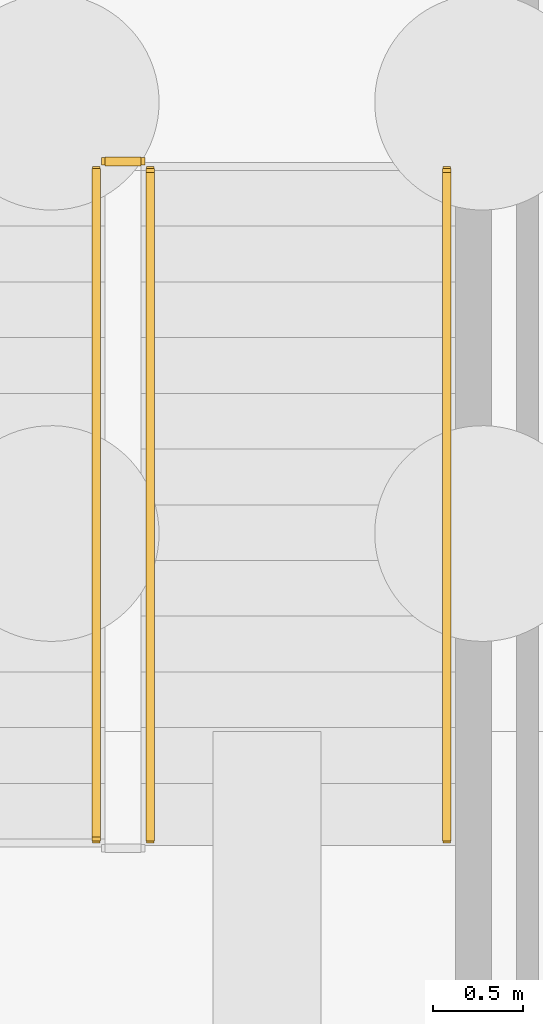
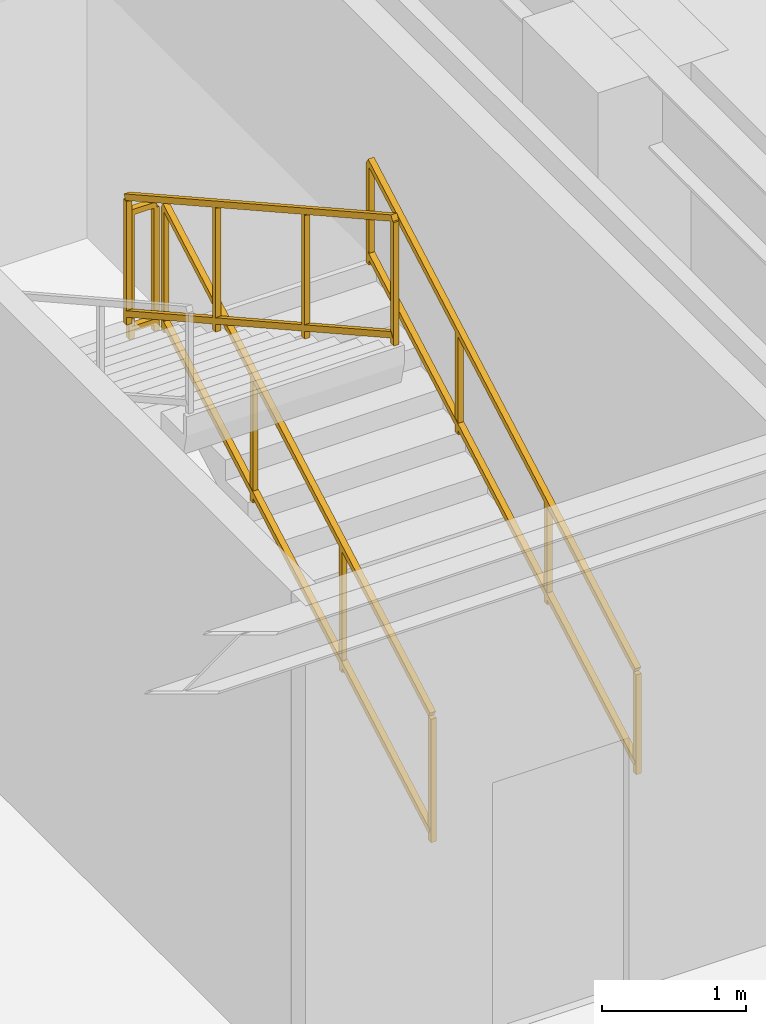
# One storey, part 18 of 19: 4 railings.
"""IFC4 building model written with IfcOpenShell, lengths in metres."""

from ifc_helpers import new_model, si_unit, direction, frame, origin, origin_2d, place, context, subcontext, project, spatial, rectangle, extrude, material, type_object, element, save


model = new_model("IFC4")

# Units and contexts
model_context = context("Model", 3, precision=1e-05, world=origin(), true_north=direction((0.0, 1.0)))
body_context = subcontext(model_context, "Body", "Model", "MODEL_VIEW")
ifc_project = project(units=[si_unit("LENGTHUNIT", "METRE"), si_unit("AREAUNIT", "SQUARE_METRE"), si_unit("VOLUMEUNIT", "CUBIC_METRE"), si_unit("PLANEANGLEUNIT", "RADIAN"), si_unit("MASSUNIT", "GRAM", prefix="KILO")], contexts=[model_context])

# Site, building, storey
site_placement = place(None, origin())
site = spatial("IfcSite", under=ifc_project, at=site_placement, CompositionType="ELEMENT")
building_placement = place(site_placement, origin())
building = spatial("IfcBuilding", under=site, at=building_placement, Name="Kolvaren Gate Tower and Convention Centre", CompositionType="ELEMENT")
storey_placement = place(building_placement, frame((0.0, 0.0, -13.5)))
storey = spatial("IfcBuildingStorey", under=building, at=storey_placement, Name="B3", CompositionType="ELEMENT", Elevation=-13.5)

# Railings
ifc_material = material(Name="Brushed Stainless Steel Grade 316L", Category="steel")
railing_type_1 = type_object("IfcRailingType", Name="ARCH-RL-GUARD-1150", PredefinedType="GUARDRAIL", material=ifc_material)
railing_1_placement = place(storey_placement, frame((94.10009765625, 36.85009765625, 0.173095703125)))
element("IfcRailing", 1, at=railing_1_placement, inside=storey, type_object=railing_type_1, Name="B3 ST-C3 stair guard 1", PredefinedType="GUARDRAIL", context=body_context, shape_type="SweptSolid", body=[
    extrude(rectangle(XDim=0.048095703125, YDim=0.048095703125, at=origin_2d()), frame((0.0, 0.0, 1.076171875), z_axis=(0.0, 0.873133609054, 0.487480974747), x_axis=(-1.0, 0.0, 0.0)), (0.0, 0.0, 1.0), 4.260498046875),
    extrude(rectangle(XDim=0.048095703125, YDim=0.048095703125, at=origin_2d()), frame((0.0, 0.0, 0.083984375), z_axis=(0.0, 0.873133609054, 0.487480974747), x_axis=(-1.0, 0.0, 0.0)), (0.0, 0.0, 1.0), 4.260498046875),
    extrude(rectangle(XDim=0.0419921875, YDim=0.0419921875, at=origin_2d()), origin(), (0.0, 0.0, 1.0), 1.050048828125),
    extrude(rectangle(XDim=0.0419921875, YDim=0.0419921875, at=origin_2d()), frame((0.0, 3.719970703125, 2.076904296875)), (0.0, 0.0, 1.0), 1.050048828125),
    extrude(rectangle(XDim=0.0419921875, YDim=0.0419921875, at=origin_2d()), frame((0.0, 1.239990234375, 0.6923828125)), (0.0, 0.0, 1.0), 1.050048828125),
    extrude(rectangle(XDim=0.0419921875, YDim=0.0419921875, at=origin_2d()), frame((0.0, 2.47998046875, 1.384521484375)), (0.0, 0.0, 1.0), 1.050048828125),
])
railing_2_placement = place(storey_placement, frame((94.050048828125, 40.6201171875, 2.25)))
element("IfcRailing", 2, at=railing_2_placement, inside=storey, type_object=railing_type_1, Name="B3 ST-C3 stair guard 2", PredefinedType="GUARDRAIL", context=body_context, shape_type="SweptSolid", body=[
    extrude(rectangle(XDim=0.048095703125, YDim=0.048095703125, at=origin_2d()), frame((0.0, 0.0, 1.076171875), z_axis=(-1.0, 0.0, 0.0), x_axis=(0.0, -1.0, 0.0)), (0.0, 0.0, 1.0), 0.199951171875),
    extrude(rectangle(XDim=0.048095703125, YDim=0.048095703125, at=origin_2d()), frame((0.0, 0.0, 0.083984375), z_axis=(-1.0, 0.0, 0.0), x_axis=(0.0, -1.0, 0.0)), (0.0, 0.0, 1.0), 0.199951171875),
    extrude(rectangle(XDim=0.0419921875, YDim=0.0419921875, at=origin_2d()), origin(), (0.0, 0.0, 1.0), 1.050048828125),
    extrude(rectangle(XDim=0.0419921875, YDim=0.0419921875, at=origin_2d()), frame((-0.199951171875, 0.0, 0.0)), (0.0, 0.0, 1.0), 1.050048828125),
])
railing_3_placement = place(storey_placement, frame((93.800048828125, 40.570068359375, 2.423095703125)))
element("IfcRailing", 3, at=railing_3_placement, inside=storey, type_object=railing_type_1, Name="B3 ST-C3 stair guard 3", PredefinedType="GUARDRAIL", context=body_context, shape_type="SweptSolid", body=[
    extrude(rectangle(XDim=0.048095703125, YDim=0.048095703125, at=origin_2d()), frame((0.0, 0.0, 1.076171875), z_axis=(0.0, -0.873133609054, 0.487480974747), x_axis=(1.0, 0.0, 0.0)), (0.0, 0.0, 1.0), 4.260498046875),
    extrude(rectangle(XDim=0.048095703125, YDim=0.048095703125, at=origin_2d()), frame((0.0, 0.0, 0.083984375), z_axis=(0.0, -0.873133609054, 0.487480974747), x_axis=(1.0, 0.0, 0.0)), (0.0, 0.0, 1.0), 4.260498046875),
    extrude(rectangle(XDim=0.0419921875, YDim=0.0419921875, at=origin_2d()), origin(), (0.0, 0.0, 1.0), 1.050048828125),
    extrude(rectangle(XDim=0.0419921875, YDim=0.0419921875, at=origin_2d()), frame((0.0, -3.719970703125, 2.076904296875)), (0.0, 0.0, 1.0), 1.050048828125),
    extrude(rectangle(XDim=0.0419921875, YDim=0.0419921875, at=origin_2d()), frame((0.0, -1.239990234375, 0.6923828125)), (0.0, 0.0, 1.0), 1.050048828125),
    extrude(rectangle(XDim=0.0419921875, YDim=0.0419921875, at=origin_2d()), frame((0.0, -2.47998046875, 1.384521484375)), (0.0, 0.0, 1.0), 1.050048828125),
])
railing_type_2 = type_object("IfcRailingType", Name="ARCH-RL-HANDRAIL-920", PredefinedType="HANDRAIL", material=ifc_material)
railing_4_placement = place(storey_placement, frame((95.75, 36.85009765625, 0.173095703125)))
element("IfcRailing", 4, at=railing_4_placement, inside=storey, type_object=railing_type_2, Name="B3 ST-C3 stair handrail 1", PredefinedType="HANDRAIL", context=body_context, shape_type="SweptSolid", body=[
    extrude(rectangle(XDim=0.048095703125, YDim=0.048095703125, at=origin_2d()), frame((0.0, 0.0, 0.8759765625), z_axis=(0.0, 0.873133609054, 0.487480974747), x_axis=(-1.0, 0.0, 0.0)), (0.0, 0.0, 1.0), 4.260498046875),
    extrude(rectangle(XDim=0.048095703125, YDim=0.048095703125, at=origin_2d()), frame((0.0, 0.0, 0.083984375), z_axis=(0.0, 0.873133609054, 0.487480974747), x_axis=(-1.0, 0.0, 0.0)), (0.0, 0.0, 1.0), 4.260498046875),
    extrude(rectangle(XDim=0.0419921875, YDim=0.0419921875, at=origin_2d()), origin(), (0.0, 0.0, 1.0), 0.849853515625),
    extrude(rectangle(XDim=0.0419921875, YDim=0.0419921875, at=origin_2d()), frame((0.0, 3.719970703125, 2.076904296875)), (0.0, 0.0, 1.0), 0.849853515625),
    extrude(rectangle(XDim=0.0419921875, YDim=0.0419921875, at=origin_2d()), frame((0.0, 1.239990234375, 0.6923828125)), (0.0, 0.0, 1.0), 0.849853515625),
    extrude(rectangle(XDim=0.0419921875, YDim=0.0419921875, at=origin_2d()), frame((0.0, 2.47998046875, 1.384521484375)), (0.0, 0.0, 1.0), 0.849853515625),
])

save(model, "model.ifc")
